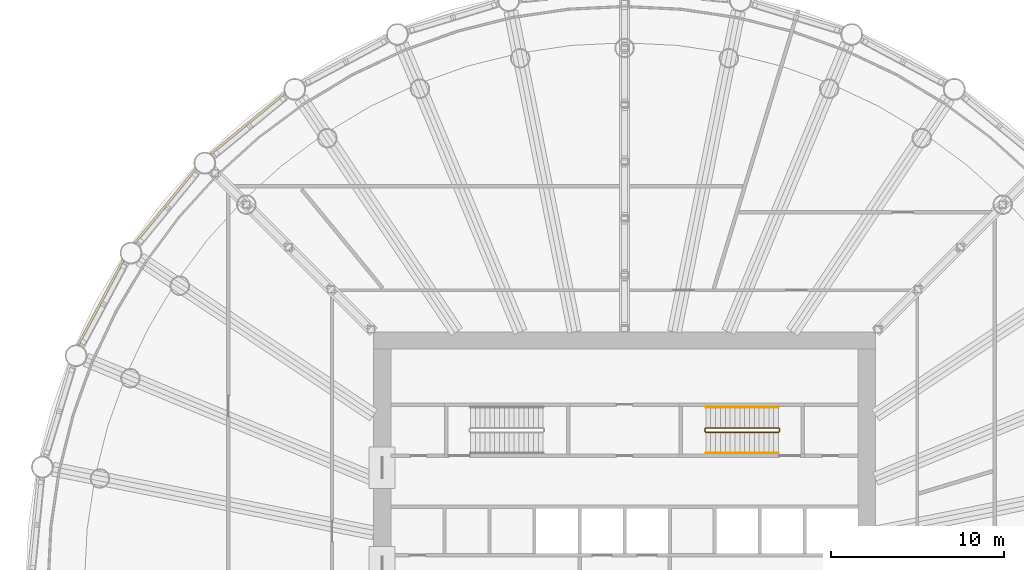
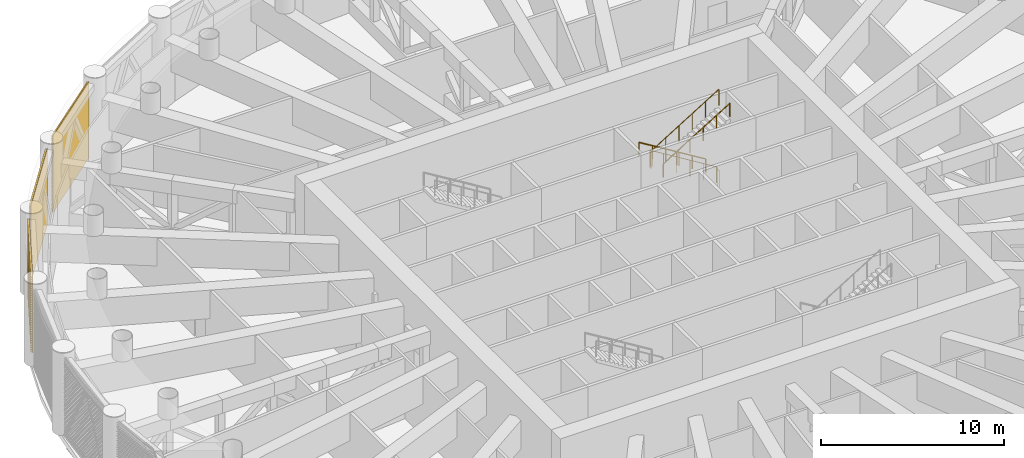
# One storey, part 26 of 29: 3 railings, 3 shading devices, 3 elements without a shape of their own.
"""IFC4 building model written with IfcOpenShell, lengths in metres."""

from ifc_helpers import new_model, si_unit, direction, frame, origin, origin_2d, place, context, subcontext, project, spatial, polyline, circle, outline, extrude, material, material_profile, profile_set, type_object, element, aggregate, save


model = new_model("IFC4")

# Units and contexts
model_context = context("Model", 3, precision=1e-05, world=origin(), true_north=direction((0.0, 1.0)))
body_context = subcontext(model_context, "Body", "Model", "MODEL_VIEW")
ifc_project = project(units=[si_unit("LENGTHUNIT", "METRE"), si_unit("AREAUNIT", "SQUARE_METRE"), si_unit("VOLUMEUNIT", "CUBIC_METRE"), si_unit("PLANEANGLEUNIT", "RADIAN"), si_unit("MASSUNIT", "GRAM", prefix="KILO")], contexts=[model_context])

# Site, building, storey
site_placement = place(None, origin())
site = spatial("IfcSite", under=ifc_project, at=site_placement, CompositionType="ELEMENT")
building_placement = place(site_placement, origin())
building = spatial("IfcBuilding", under=site, at=building_placement, Name="Corvane Civic Tower", CompositionType="ELEMENT")
storey_placement = place(building_placement, frame((0.0, 0.0, 138.5)))
storey = spatial("IfcBuildingStorey", under=building, at=storey_placement, Name="L32", CompositionType="ELEMENT", Elevation=138.5)

# Railings
ifc_material_1 = material(Name="Steel ASTM A572 Gr 50", Category="steel")
railing_type_1 = type_object("IfcRailingType", Name="ST-GUARD-1100", PredefinedType="GUARDRAIL", material=ifc_material_1)
railing_1_placement = place(storey_placement, frame((8.949951171875, 8.75, 0.0)))
element("IfcRailing", 1, at=railing_1_placement, inside=storey, type_object=railing_type_1, Name="L32 ST1 stair guard 1", PredefinedType="GUARDRAIL", context=body_context, shape_type="SweptSolid", body=[
    extrude(circle(Radius=0.02392578125, at=origin_2d()), frame((0.0, 0.0, 1.076171875), z_axis=(0.0, 1.0, 0.0), x_axis=(-1.0, 0.0, 0.0)), (0.0, 0.0, 1.0), 0.14990234375),
    extrude(circle(Radius=0.02392578125, at=origin_2d()), frame((0.0, 0.14990234375, 1.076171875), z_axis=(-0.269255725606, 0.269255725606, 0.92466356501), x_axis=(-0.707106781187, -0.707106781187, 0.0)), (0.0, 0.0, 1.0), 0.185791015625),
    extrude(circle(Radius=0.02392578125, at=origin_2d()), frame((-0.050048828125, 0.199951171875, 1.248046875), z_axis=(-0.852242915053, 0.0, 0.523146264196), x_axis=(0.0, -1.0, 0.0)), (0.0, 0.0, 1.0), 4.92822265625),
    extrude(circle(Radius=0.02392578125, at=origin_2d()), frame((-4.25, 0.199951171875, 3.826171875), z_axis=(-0.707106781187, -0.707106781187, 0.0), x_axis=(0.707106781187, -0.707106781187, 0.0)), (0.0, 0.0, 1.0), 0.07080078125),
    extrude(circle(Radius=0.02392578125, at=origin_2d()), frame((-4.300048828125, 0.14990234375, 3.826171875), z_axis=(0.0, -1.0, 0.0), x_axis=(1.0, 0.0, 0.0)), (0.0, 0.0, 1.0), 0.14990234375),
    extrude(circle(Radius=0.02392578125, at=origin_2d()), frame((-4.300048828125, 0.0, 3.826171875), z_axis=(0.269255725606, -0.269255725606, 0.92466356501), x_axis=(0.707106781187, 0.707106781187, 0.0)), (0.0, 0.0, 1.0), 0.185791015625),
    extrude(circle(Radius=0.02392578125, at=origin_2d()), frame((-4.25, -0.050048828125, 3.998046875), z_axis=(0.852242915053, 0.0, 0.523146264196), x_axis=(0.0, 1.0, 0.0)), (0.0, 0.0, 1.0), 4.92822265625),
    extrude(circle(Radius=0.02099609375, at=origin_2d()), origin(), (0.0, 0.0, 1.0), 1.052001953125),
    extrude(circle(Radius=0.02099609375, at=origin_2d()), frame((0.0, 0.14990234375, 0.0)), (0.0, 0.0, 1.0), 1.052001953125),
    extrude(circle(Radius=0.02099609375, at=origin_2d()), frame((-0.050048828125, 0.199951171875, 0.171875)), (0.0, 0.0, 1.0), 1.052001953125),
    extrude(circle(Radius=0.02099609375, at=origin_2d()), frame((-0.89013671875, 0.199951171875, 0.6875)), (0.0, 0.0, 1.0), 1.052001953125),
    extrude(circle(Radius=0.02099609375, at=origin_2d()), frame((-1.72998046875, 0.199951171875, 1.203125)), (0.0, 0.0, 1.0), 1.052001953125),
    extrude(circle(Radius=0.02099609375, at=origin_2d()), frame((-2.570068359375, 0.199951171875, 1.71875)), (0.0, 0.0, 1.0), 1.052001953125),
    extrude(circle(Radius=0.02099609375, at=origin_2d()), frame((-3.409912109375, 0.199951171875, 2.234375)), (0.0, 0.0, 1.0), 1.052001953125),
    extrude(circle(Radius=0.02099609375, at=origin_2d()), frame((-4.25, 0.199951171875, 2.75)), (0.0, 0.0, 1.0), 1.052001953125),
    extrude(circle(Radius=0.02099609375, at=origin_2d()), frame((-4.300048828125, 0.14990234375, 2.75)), (0.0, 0.0, 1.0), 1.052001953125),
    extrude(circle(Radius=0.02099609375, at=origin_2d()), frame((-4.300048828125, 0.0, 2.75)), (0.0, 0.0, 1.0), 1.052001953125),
    extrude(circle(Radius=0.02099609375, at=origin_2d()), frame((-4.25, -0.050048828125, 2.921875)), (0.0, 0.0, 1.0), 1.052001953125),
    extrude(circle(Radius=0.02099609375, at=origin_2d()), frame((-3.409912109375, -0.050048828125, 3.4375)), (0.0, 0.0, 1.0), 1.052001953125),
    extrude(circle(Radius=0.02099609375, at=origin_2d()), frame((-2.570068359375, -0.050048828125, 3.953125)), (0.0, 0.0, 1.0), 1.052001953125),
    extrude(circle(Radius=0.02099609375, at=origin_2d()), frame((-1.72998046875, -0.050048828125, 4.46875)), (0.0, 0.0, 1.0), 1.052001953125),
    extrude(circle(Radius=0.02099609375, at=origin_2d()), frame((-0.89013671875, -0.050048828125, 4.984375)), (0.0, 0.0, 1.0), 1.052001953125),
    extrude(circle(Radius=0.02099609375, at=origin_2d()), frame((-0.050048828125, -0.050048828125, 5.5)), (0.0, 0.0, 1.0), 1.052001953125),
])
ifc_material_2 = material(Name="Steel ASTM A572 Gr 50", Category="steel")
railing_type_2 = type_object("IfcRailingType", Name="ST-HANDRAIL-900", PredefinedType="HANDRAIL", material=ifc_material_2)
railing_2_placement = place(storey_placement, frame((8.89990234375, 10.14990234375, 0.171875)))
element("IfcRailing", 2, at=railing_2_placement, inside=storey, type_object=railing_type_2, Name="L32 ST1 stair handrail 1", PredefinedType="HANDRAIL", context=body_context, shape_type="SweptSolid", body=[
    extrude(circle(Radius=0.02392578125, at=origin_2d()), frame((0.0, 0.0, 0.8759765625), z_axis=(-0.852242915053, 0.0, 0.523146264196), x_axis=(0.0, -1.0, 0.0)), (0.0, 0.0, 1.0), 4.92822265625),
    extrude(circle(Radius=0.02099609375, at=origin_2d()), origin(), (0.0, 0.0, 1.0), 0.851806640625),
    extrude(circle(Radius=0.02099609375, at=origin_2d()), frame((-0.840087890625, 0.0, 0.515625)), (0.0, 0.0, 1.0), 0.851806640625),
    extrude(circle(Radius=0.02099609375, at=origin_2d()), frame((-1.679931640625, 0.0, 1.03125)), (0.0, 0.0, 1.0), 0.851806640625),
    extrude(circle(Radius=0.02099609375, at=origin_2d()), frame((-2.52001953125, 0.0, 1.546875)), (0.0, 0.0, 1.0), 0.851806640625),
    extrude(circle(Radius=0.02099609375, at=origin_2d()), frame((-3.35986328125, 0.0, 2.0625)), (0.0, 0.0, 1.0), 0.851806640625),
    extrude(circle(Radius=0.02099609375, at=origin_2d()), frame((-4.199951171875, 0.0, 2.578125)), (0.0, 0.0, 1.0), 0.851806640625),
])
railing_3_placement = place(storey_placement, frame((4.699951171875, 7.5, 2.921875)))
element("IfcRailing", 3, at=railing_3_placement, inside=storey, type_object=railing_type_2, Name="L32 ST1 stair handrail 2", PredefinedType="HANDRAIL", context=body_context, shape_type="SweptSolid", body=[
    extrude(circle(Radius=0.02392578125, at=origin_2d()), frame((0.0, 0.0, 0.8759765625), z_axis=(0.852242915053, 0.0, 0.523146264196), x_axis=(0.0, 1.0, 0.0)), (0.0, 0.0, 1.0), 4.92822265625),
    extrude(circle(Radius=0.02099609375, at=origin_2d()), origin(), (0.0, 0.0, 1.0), 0.851806640625),
    extrude(circle(Radius=0.02099609375, at=origin_2d()), frame((0.840087890625, 0.0, 0.515625)), (0.0, 0.0, 1.0), 0.851806640625),
    extrude(circle(Radius=0.02099609375, at=origin_2d()), frame((1.679931640625, 0.0, 1.03125)), (0.0, 0.0, 1.0), 0.851806640625),
    extrude(circle(Radius=0.02099609375, at=origin_2d()), frame((2.52001953125, 0.0, 1.546875)), (0.0, 0.0, 1.0), 0.851806640625),
    extrude(circle(Radius=0.02099609375, at=origin_2d()), frame((3.35986328125, 0.0, 2.0625)), (0.0, 0.0, 1.0), 0.851806640625),
    extrude(circle(Radius=0.02099609375, at=origin_2d()), frame((4.199951171875, 0.0, 2.578125)), (0.0, 0.0, 1.0), 0.851806640625),
])

# Curtain wall, shading device
ifc_material_3 = material(Name="Anodised aluminium bronze", Category="aluminium")
curtain_wall_type = type_object("IfcCurtainWallType", Name="TOWER CW-LV LOUVRE SCREEN WALL", PredefinedType="NOTDEFINED", material=ifc_material_3)
curtain_wall_1_placement = place(storey_placement, origin())
curtain_wall_1 = element("IfcCurtainWall", 4, at=curtain_wall_1_placement, inside=storey, type_object=curtain_wall_type, Name="Louvre screen wall CW-LV L32 bay 27", PredefinedType="NOTDEFINED")
ifc_material_4 = material(Name="Anodised aluminium bronze", Category="aluminium")
ifc_material_profile = material_profile(ifc_material_4, outline(polyline([(-0.06005859375, -2.56494140625), (-0.0400390625, -2.56494140625), (0.06005859375, -2.492919921875), (0.06005859375, -2.472900390625), (-0.0400390625, -2.544921875), (-0.0400390625, -2.4140625), (0.06005859375, -2.342041015625), (0.06005859375, -2.322021484375), (-0.0400390625, -2.39404296875), (-0.0400390625, -2.26318359375), (0.06005859375, -2.191162109375), (0.06005859375, -2.171142578125), (-0.0400390625, -2.2431640625), (-0.0400390625, -2.1123046875), (0.06005859375, -2.040283203125), (0.06005859375, -2.0205078125), (-0.0400390625, -2.09228515625), (-0.0400390625, -1.96142578125), (0.06005859375, -1.889404296875), (0.06005859375, -1.869384765625), (-0.0400390625, -1.94140625), (-0.0400390625, -1.810546875), (0.06005859375, -1.738525390625), (0.06005859375, -1.718505859375), (-0.0400390625, -1.79052734375), (-0.0400390625, -1.65966796875), (0.06005859375, -1.587646484375), (0.06005859375, -1.567626953125), (-0.0400390625, -1.6396484375), (-0.0400390625, -1.5087890625), (0.06005859375, -1.436767578125), (0.06005859375, -1.416748046875), (-0.0400390625, -1.48876953125), (-0.0400390625, -1.35791015625), (0.06005859375, -1.285888671875), (0.06005859375, -1.265869140625), (-0.0400390625, -1.337890625), (-0.0400390625, -1.20703125), (0.06005859375, -1.135009765625), (0.06005859375, -1.114990234375), (-0.0400390625, -1.18701171875), (-0.0400390625, -1.05615234375), (0.06005859375, -0.984130859375), (0.06005859375, -0.964111328125), (-0.0400390625, -1.0361328125), (-0.0400390625, -0.9052734375), (0.06005859375, -0.833251953125), (0.06005859375, -0.813232421875), (-0.0400390625, -0.88525390625), (-0.0400390625, -0.75439453125), (0.06005859375, -0.682373046875), (0.06005859375, -0.662353515625), (-0.0400390625, -0.734375), (-0.0400390625, -0.603515625), (0.06005859375, -0.531494140625), (0.06005859375, -0.511474609375), (-0.0400390625, -0.58349609375), (-0.0400390625, -0.45263671875), (0.06005859375, -0.380615234375), (0.06005859375, -0.360595703125), (-0.0400390625, -0.4326171875), (-0.0400390625, -0.3017578125), (0.06005859375, -0.229736328125), (0.06005859375, -0.209716796875), (-0.0400390625, -0.28173828125), (-0.0400390625, -0.15087890625), (0.06005859375, -0.078857421875), (0.06005859375, -0.058837890625), (-0.0400390625, -0.130859375), (-0.0400390625, 0.0), (0.06005859375, 0.072021484375), (0.06005859375, 0.092041015625), (-0.0400390625, 0.02001953125), (-0.0400390625, 0.15087890625), (0.06005859375, 0.222900390625), (0.06005859375, 0.242919921875), (-0.0400390625, 0.1708984375), (-0.0400390625, 0.3017578125), (0.06005859375, 0.373779296875), (0.06005859375, 0.393798828125), (-0.0400390625, 0.32177734375), (-0.0400390625, 0.45263671875), (0.06005859375, 0.524658203125), (0.06005859375, 0.544677734375), (-0.0400390625, 0.47265625), (-0.0400390625, 0.603515625), (0.06005859375, 0.675537109375), (0.06005859375, 0.695556640625), (-0.0400390625, 0.62353515625), (-0.0400390625, 0.75439453125), (0.06005859375, 0.826416015625), (0.06005859375, 0.846435546875), (-0.0400390625, 0.7744140625), (-0.0400390625, 0.9052734375), (0.06005859375, 0.977294921875), (0.06005859375, 0.997314453125), (-0.0400390625, 0.92529296875), (-0.0400390625, 1.05615234375), (0.06005859375, 1.128173828125), (0.06005859375, 1.148193359375), (-0.0400390625, 1.076171875), (-0.0400390625, 1.20703125), (0.06005859375, 1.279052734375), (0.06005859375, 1.299072265625), (-0.0400390625, 1.22705078125), (-0.0400390625, 1.35791015625), (0.06005859375, 1.429931640625), (0.06005859375, 1.449951171875), (-0.0400390625, 1.3779296875), (-0.0400390625, 1.5087890625), (0.06005859375, 1.580810546875), (0.06005859375, 1.600830078125), (-0.0400390625, 1.52880859375), (-0.0400390625, 1.65966796875), (0.06005859375, 1.731689453125), (0.06005859375, 1.751708984375), (-0.0400390625, 1.6796875), (-0.0400390625, 1.810546875), (0.06005859375, 1.882568359375), (0.06005859375, 1.902587890625), (-0.0400390625, 1.83056640625), (-0.0400390625, 1.96142578125), (0.06005859375, 2.033447265625), (0.06005859375, 2.053466796875), (-0.0400390625, 1.9814453125), (-0.0400390625, 2.1123046875), (0.06005859375, 2.184326171875), (0.06005859375, 2.204345703125), (-0.0400390625, 2.13232421875), (-0.0400390625, 2.26318359375), (0.06005859375, 2.335205078125), (0.06005859375, 2.355224609375), (-0.0400390625, 2.283203125), (-0.0400390625, 2.4140625), (0.06005859375, 2.486083984375), (0.06005859375, 2.506103515625), (-0.0400390625, 2.43408203125), (-0.0400390625, 2.56494140625), (-0.06005859375, 2.56494140625), (-0.06005859375, -2.56494140625)])), Name="TOWER LOUVRE BANK 5130 BRONZE")
ifc_profile_set = profile_set([ifc_material_profile], Name="Anodised aluminium bronze")
shading_device_type = type_object("IfcShadingDeviceType", Name="TOWER LOUVRE BANK 5130 BRONZE", PredefinedType="USERDEFINED", material=ifc_profile_set)
shading_device_1_placement = place(storey_placement, frame((-31.5791015625, 13.712158203125, 2.68505859375), z_axis=(0.47139778253, 0.881920705407, 0.0), x_axis=(-0.881920705407, 0.47139778253, 0.0)))
shading_device_1 = element("IfcShadingDevice", 5, at=shading_device_1_placement, type_object=shading_device_type, Name="Louvre bank L32 27.1", ObjectType="LOUVRE", PredefinedType="USERDEFINED", context=body_context, shape_type="SweptSolid", body=[
    extrude(outline(polyline([(-0.06005859375, -2.56494140625), (-0.0400390625, -2.56494140625), (0.06005859375, -2.492919921875), (0.06005859375, -2.472900390625), (-0.0400390625, -2.544921875), (-0.0400390625, -2.4140625), (0.06005859375, -2.342041015625), (0.06005859375, -2.322021484375), (-0.0400390625, -2.39404296875), (-0.0400390625, -2.26318359375), (0.06005859375, -2.191162109375), (0.06005859375, -2.171142578125), (-0.0400390625, -2.2431640625), (-0.0400390625, -2.1123046875), (0.06005859375, -2.040283203125), (0.06005859375, -2.0205078125), (-0.0400390625, -2.09228515625), (-0.0400390625, -1.96142578125), (0.06005859375, -1.889404296875), (0.06005859375, -1.869384765625), (-0.0400390625, -1.94140625), (-0.0400390625, -1.810546875), (0.06005859375, -1.738525390625), (0.06005859375, -1.718505859375), (-0.0400390625, -1.79052734375), (-0.0400390625, -1.65966796875), (0.06005859375, -1.587646484375), (0.06005859375, -1.567626953125), (-0.0400390625, -1.6396484375), (-0.0400390625, -1.5087890625), (0.06005859375, -1.436767578125), (0.06005859375, -1.416748046875), (-0.0400390625, -1.48876953125), (-0.0400390625, -1.35791015625), (0.06005859375, -1.285888671875), (0.06005859375, -1.265869140625), (-0.0400390625, -1.337890625), (-0.0400390625, -1.20703125), (0.06005859375, -1.135009765625), (0.06005859375, -1.114990234375), (-0.0400390625, -1.18701171875), (-0.0400390625, -1.05615234375), (0.06005859375, -0.984130859375), (0.06005859375, -0.964111328125), (-0.0400390625, -1.0361328125), (-0.0400390625, -0.9052734375), (0.06005859375, -0.833251953125), (0.06005859375, -0.813232421875), (-0.0400390625, -0.88525390625), (-0.0400390625, -0.75439453125), (0.06005859375, -0.682373046875), (0.06005859375, -0.662353515625), (-0.0400390625, -0.734375), (-0.0400390625, -0.603515625), (0.06005859375, -0.531494140625), (0.06005859375, -0.511474609375), (-0.0400390625, -0.58349609375), (-0.0400390625, -0.45263671875), (0.06005859375, -0.380615234375), (0.06005859375, -0.360595703125), (-0.0400390625, -0.4326171875), (-0.0400390625, -0.3017578125), (0.06005859375, -0.229736328125), (0.06005859375, -0.209716796875), (-0.0400390625, -0.28173828125), (-0.0400390625, -0.15087890625), (0.06005859375, -0.078857421875), (0.06005859375, -0.058837890625), (-0.0400390625, -0.130859375), (-0.0400390625, 0.0), (0.06005859375, 0.072021484375), (0.06005859375, 0.092041015625), (-0.0400390625, 0.02001953125), (-0.0400390625, 0.15087890625), (0.06005859375, 0.222900390625), (0.06005859375, 0.242919921875), (-0.0400390625, 0.1708984375), (-0.0400390625, 0.3017578125), (0.06005859375, 0.373779296875), (0.06005859375, 0.393798828125), (-0.0400390625, 0.32177734375), (-0.0400390625, 0.45263671875), (0.06005859375, 0.524658203125), (0.06005859375, 0.544677734375), (-0.0400390625, 0.47265625), (-0.0400390625, 0.603515625), (0.06005859375, 0.675537109375), (0.06005859375, 0.695556640625), (-0.0400390625, 0.62353515625), (-0.0400390625, 0.75439453125), (0.06005859375, 0.826416015625), (0.06005859375, 0.846435546875), (-0.0400390625, 0.7744140625), (-0.0400390625, 0.9052734375), (0.06005859375, 0.977294921875), (0.06005859375, 0.997314453125), (-0.0400390625, 0.92529296875), (-0.0400390625, 1.05615234375), (0.06005859375, 1.128173828125), (0.06005859375, 1.148193359375), (-0.0400390625, 1.076171875), (-0.0400390625, 1.20703125), (0.06005859375, 1.279052734375), (0.06005859375, 1.299072265625), (-0.0400390625, 1.22705078125), (-0.0400390625, 1.35791015625), (0.06005859375, 1.429931640625), (0.06005859375, 1.449951171875), (-0.0400390625, 1.3779296875), (-0.0400390625, 1.5087890625), (0.06005859375, 1.580810546875), (0.06005859375, 1.600830078125), (-0.0400390625, 1.52880859375), (-0.0400390625, 1.65966796875), (0.06005859375, 1.731689453125), (0.06005859375, 1.751708984375), (-0.0400390625, 1.6796875), (-0.0400390625, 1.810546875), (0.06005859375, 1.882568359375), (0.06005859375, 1.902587890625), (-0.0400390625, 1.83056640625), (-0.0400390625, 1.96142578125), (0.06005859375, 2.033447265625), (0.06005859375, 2.053466796875), (-0.0400390625, 1.9814453125), (-0.0400390625, 2.1123046875), (0.06005859375, 2.184326171875), (0.06005859375, 2.204345703125), (-0.0400390625, 2.13232421875), (-0.0400390625, 2.26318359375), (0.06005859375, 2.335205078125), (0.06005859375, 2.355224609375), (-0.0400390625, 2.283203125), (-0.0400390625, 2.4140625), (0.06005859375, 2.486083984375), (0.06005859375, 2.506103515625), (-0.0400390625, 2.43408203125), (-0.0400390625, 2.56494140625), (-0.06005859375, 2.56494140625), (-0.06005859375, -2.56494140625)])), origin(), (0.0, 0.0, 1.0), 5.586669921875),
])
aggregate(curtain_wall_1, [shading_device_1])

curtain_wall_2_placement = place(storey_placement, origin())
curtain_wall_2 = element("IfcCurtainWall", 6, at=curtain_wall_2_placement, inside=storey, type_object=curtain_wall_type, Name="Louvre screen wall CW-LV L32 bay 28", PredefinedType="NOTDEFINED")
shading_device_2_placement = place(storey_placement, frame((-28.297119140625, 19.609619140625, 2.68505859375), z_axis=(0.634410369295, 0.772996431642, 0.0), x_axis=(-0.772996431642, 0.634410369295, 0.0)))
shading_device_2 = element("IfcShadingDevice", 7, at=shading_device_2_placement, type_object=shading_device_type, Name="Louvre bank L32 28.1", ObjectType="LOUVRE", PredefinedType="USERDEFINED", context=body_context, shape_type="SweptSolid", body=[
    extrude(outline(polyline([(-0.06005859375, -2.56494140625), (-0.0400390625, -2.56494140625), (0.06005859375, -2.492919921875), (0.06005859375, -2.472900390625), (-0.0400390625, -2.544921875), (-0.0400390625, -2.4140625), (0.06005859375, -2.342041015625), (0.06005859375, -2.322021484375), (-0.0400390625, -2.39404296875), (-0.0400390625, -2.26318359375), (0.06005859375, -2.191162109375), (0.06005859375, -2.171142578125), (-0.0400390625, -2.2431640625), (-0.0400390625, -2.1123046875), (0.06005859375, -2.040283203125), (0.06005859375, -2.0205078125), (-0.0400390625, -2.09228515625), (-0.0400390625, -1.96142578125), (0.06005859375, -1.889404296875), (0.06005859375, -1.869384765625), (-0.0400390625, -1.94140625), (-0.0400390625, -1.810546875), (0.06005859375, -1.738525390625), (0.06005859375, -1.718505859375), (-0.0400390625, -1.79052734375), (-0.0400390625, -1.65966796875), (0.06005859375, -1.587646484375), (0.06005859375, -1.567626953125), (-0.0400390625, -1.6396484375), (-0.0400390625, -1.5087890625), (0.06005859375, -1.436767578125), (0.06005859375, -1.416748046875), (-0.0400390625, -1.48876953125), (-0.0400390625, -1.35791015625), (0.06005859375, -1.285888671875), (0.06005859375, -1.265869140625), (-0.0400390625, -1.337890625), (-0.0400390625, -1.20703125), (0.06005859375, -1.135009765625), (0.06005859375, -1.114990234375), (-0.0400390625, -1.18701171875), (-0.0400390625, -1.05615234375), (0.06005859375, -0.984130859375), (0.06005859375, -0.964111328125), (-0.0400390625, -1.0361328125), (-0.0400390625, -0.9052734375), (0.06005859375, -0.833251953125), (0.06005859375, -0.813232421875), (-0.0400390625, -0.88525390625), (-0.0400390625, -0.75439453125), (0.06005859375, -0.682373046875), (0.06005859375, -0.662353515625), (-0.0400390625, -0.734375), (-0.0400390625, -0.603515625), (0.06005859375, -0.531494140625), (0.06005859375, -0.511474609375), (-0.0400390625, -0.58349609375), (-0.0400390625, -0.45263671875), (0.06005859375, -0.380615234375), (0.06005859375, -0.360595703125), (-0.0400390625, -0.4326171875), (-0.0400390625, -0.3017578125), (0.06005859375, -0.229736328125), (0.06005859375, -0.209716796875), (-0.0400390625, -0.28173828125), (-0.0400390625, -0.15087890625), (0.06005859375, -0.078857421875), (0.06005859375, -0.058837890625), (-0.0400390625, -0.130859375), (-0.0400390625, 0.0), (0.06005859375, 0.072021484375), (0.06005859375, 0.092041015625), (-0.0400390625, 0.02001953125), (-0.0400390625, 0.15087890625), (0.06005859375, 0.222900390625), (0.06005859375, 0.242919921875), (-0.0400390625, 0.1708984375), (-0.0400390625, 0.3017578125), (0.06005859375, 0.373779296875), (0.06005859375, 0.393798828125), (-0.0400390625, 0.32177734375), (-0.0400390625, 0.45263671875), (0.06005859375, 0.524658203125), (0.06005859375, 0.544677734375), (-0.0400390625, 0.47265625), (-0.0400390625, 0.603515625), (0.06005859375, 0.675537109375), (0.06005859375, 0.695556640625), (-0.0400390625, 0.62353515625), (-0.0400390625, 0.75439453125), (0.06005859375, 0.826416015625), (0.06005859375, 0.846435546875), (-0.0400390625, 0.7744140625), (-0.0400390625, 0.9052734375), (0.06005859375, 0.977294921875), (0.06005859375, 0.997314453125), (-0.0400390625, 0.92529296875), (-0.0400390625, 1.05615234375), (0.06005859375, 1.128173828125), (0.06005859375, 1.148193359375), (-0.0400390625, 1.076171875), (-0.0400390625, 1.20703125), (0.06005859375, 1.279052734375), (0.06005859375, 1.299072265625), (-0.0400390625, 1.22705078125), (-0.0400390625, 1.35791015625), (0.06005859375, 1.429931640625), (0.06005859375, 1.449951171875), (-0.0400390625, 1.3779296875), (-0.0400390625, 1.5087890625), (0.06005859375, 1.580810546875), (0.06005859375, 1.600830078125), (-0.0400390625, 1.52880859375), (-0.0400390625, 1.65966796875), (0.06005859375, 1.731689453125), (0.06005859375, 1.751708984375), (-0.0400390625, 1.6796875), (-0.0400390625, 1.810546875), (0.06005859375, 1.882568359375), (0.06005859375, 1.902587890625), (-0.0400390625, 1.83056640625), (-0.0400390625, 1.96142578125), (0.06005859375, 2.033447265625), (0.06005859375, 2.053466796875), (-0.0400390625, 1.9814453125), (-0.0400390625, 2.1123046875), (0.06005859375, 2.184326171875), (0.06005859375, 2.204345703125), (-0.0400390625, 2.13232421875), (-0.0400390625, 2.26318359375), (0.06005859375, 2.335205078125), (0.06005859375, 2.355224609375), (-0.0400390625, 2.283203125), (-0.0400390625, 2.4140625), (0.06005859375, 2.486083984375), (0.06005859375, 2.506103515625), (-0.0400390625, 2.43408203125), (-0.0400390625, 2.56494140625), (-0.06005859375, 2.56494140625), (-0.06005859375, -2.56494140625)])), origin(), (0.0, 0.0, 1.0), 5.586181640625),
])
aggregate(curtain_wall_2, [shading_device_2])

curtain_wall_3_placement = place(storey_placement, origin())
curtain_wall_3 = element("IfcCurtainWall", 8, at=curtain_wall_3_placement, inside=storey, type_object=curtain_wall_type, Name="Louvre screen wall CW-LV L32 bay 29", PredefinedType="NOTDEFINED")
shading_device_3_placement = place(storey_placement, frame((-23.927734375, 24.753173828125, 2.68505859375), z_axis=(0.772996431642, 0.634410369295, 0.0), x_axis=(-0.634410369295, 0.772996431642, 0.0)))
shading_device_3 = element("IfcShadingDevice", 9, at=shading_device_3_placement, type_object=shading_device_type, Name="Louvre bank L32 29.1", ObjectType="LOUVRE", PredefinedType="USERDEFINED", context=body_context, shape_type="SweptSolid", body=[
    extrude(outline(polyline([(-0.06005859375, -2.56494140625), (-0.0400390625, -2.56494140625), (0.06005859375, -2.492919921875), (0.06005859375, -2.472900390625), (-0.0400390625, -2.544921875), (-0.0400390625, -2.4140625), (0.06005859375, -2.342041015625), (0.06005859375, -2.322021484375), (-0.0400390625, -2.39404296875), (-0.0400390625, -2.26318359375), (0.06005859375, -2.191162109375), (0.06005859375, -2.171142578125), (-0.0400390625, -2.2431640625), (-0.0400390625, -2.1123046875), (0.06005859375, -2.040283203125), (0.06005859375, -2.0205078125), (-0.0400390625, -2.09228515625), (-0.0400390625, -1.96142578125), (0.06005859375, -1.889404296875), (0.06005859375, -1.869384765625), (-0.0400390625, -1.94140625), (-0.0400390625, -1.810546875), (0.06005859375, -1.738525390625), (0.06005859375, -1.718505859375), (-0.0400390625, -1.79052734375), (-0.0400390625, -1.65966796875), (0.06005859375, -1.587646484375), (0.06005859375, -1.567626953125), (-0.0400390625, -1.6396484375), (-0.0400390625, -1.5087890625), (0.06005859375, -1.436767578125), (0.06005859375, -1.416748046875), (-0.0400390625, -1.48876953125), (-0.0400390625, -1.35791015625), (0.06005859375, -1.285888671875), (0.06005859375, -1.265869140625), (-0.0400390625, -1.337890625), (-0.0400390625, -1.20703125), (0.06005859375, -1.135009765625), (0.06005859375, -1.114990234375), (-0.0400390625, -1.18701171875), (-0.0400390625, -1.05615234375), (0.06005859375, -0.984130859375), (0.06005859375, -0.964111328125), (-0.0400390625, -1.0361328125), (-0.0400390625, -0.9052734375), (0.06005859375, -0.833251953125), (0.06005859375, -0.813232421875), (-0.0400390625, -0.88525390625), (-0.0400390625, -0.75439453125), (0.06005859375, -0.682373046875), (0.06005859375, -0.662353515625), (-0.0400390625, -0.734375), (-0.0400390625, -0.603515625), (0.06005859375, -0.531494140625), (0.06005859375, -0.511474609375), (-0.0400390625, -0.58349609375), (-0.0400390625, -0.45263671875), (0.06005859375, -0.380615234375), (0.06005859375, -0.360595703125), (-0.0400390625, -0.4326171875), (-0.0400390625, -0.3017578125), (0.06005859375, -0.229736328125), (0.06005859375, -0.209716796875), (-0.0400390625, -0.28173828125), (-0.0400390625, -0.15087890625), (0.06005859375, -0.078857421875), (0.06005859375, -0.058837890625), (-0.0400390625, -0.130859375), (-0.0400390625, 0.0), (0.06005859375, 0.072021484375), (0.06005859375, 0.092041015625), (-0.0400390625, 0.02001953125), (-0.0400390625, 0.15087890625), (0.06005859375, 0.222900390625), (0.06005859375, 0.242919921875), (-0.0400390625, 0.1708984375), (-0.0400390625, 0.3017578125), (0.06005859375, 0.373779296875), (0.06005859375, 0.393798828125), (-0.0400390625, 0.32177734375), (-0.0400390625, 0.45263671875), (0.06005859375, 0.524658203125), (0.06005859375, 0.544677734375), (-0.0400390625, 0.47265625), (-0.0400390625, 0.603515625), (0.06005859375, 0.675537109375), (0.06005859375, 0.695556640625), (-0.0400390625, 0.62353515625), (-0.0400390625, 0.75439453125), (0.06005859375, 0.826416015625), (0.06005859375, 0.846435546875), (-0.0400390625, 0.7744140625), (-0.0400390625, 0.9052734375), (0.06005859375, 0.977294921875), (0.06005859375, 0.997314453125), (-0.0400390625, 0.92529296875), (-0.0400390625, 1.05615234375), (0.06005859375, 1.128173828125), (0.06005859375, 1.148193359375), (-0.0400390625, 1.076171875), (-0.0400390625, 1.20703125), (0.06005859375, 1.279052734375), (0.06005859375, 1.299072265625), (-0.0400390625, 1.22705078125), (-0.0400390625, 1.35791015625), (0.06005859375, 1.429931640625), (0.06005859375, 1.449951171875), (-0.0400390625, 1.3779296875), (-0.0400390625, 1.5087890625), (0.06005859375, 1.580810546875), (0.06005859375, 1.600830078125), (-0.0400390625, 1.52880859375), (-0.0400390625, 1.65966796875), (0.06005859375, 1.731689453125), (0.06005859375, 1.751708984375), (-0.0400390625, 1.6796875), (-0.0400390625, 1.810546875), (0.06005859375, 1.882568359375), (0.06005859375, 1.902587890625), (-0.0400390625, 1.83056640625), (-0.0400390625, 1.96142578125), (0.06005859375, 2.033447265625), (0.06005859375, 2.053466796875), (-0.0400390625, 1.9814453125), (-0.0400390625, 2.1123046875), (0.06005859375, 2.184326171875), (0.06005859375, 2.204345703125), (-0.0400390625, 2.13232421875), (-0.0400390625, 2.26318359375), (0.06005859375, 2.335205078125), (0.06005859375, 2.355224609375), (-0.0400390625, 2.283203125), (-0.0400390625, 2.4140625), (0.06005859375, 2.486083984375), (0.06005859375, 2.506103515625), (-0.0400390625, 2.43408203125), (-0.0400390625, 2.56494140625), (-0.06005859375, 2.56494140625), (-0.06005859375, -2.56494140625)])), origin(), (0.0, 0.0, 1.0), 5.586181640625),
])
aggregate(curtain_wall_3, [shading_device_3])

save(model, "model.ifc")
